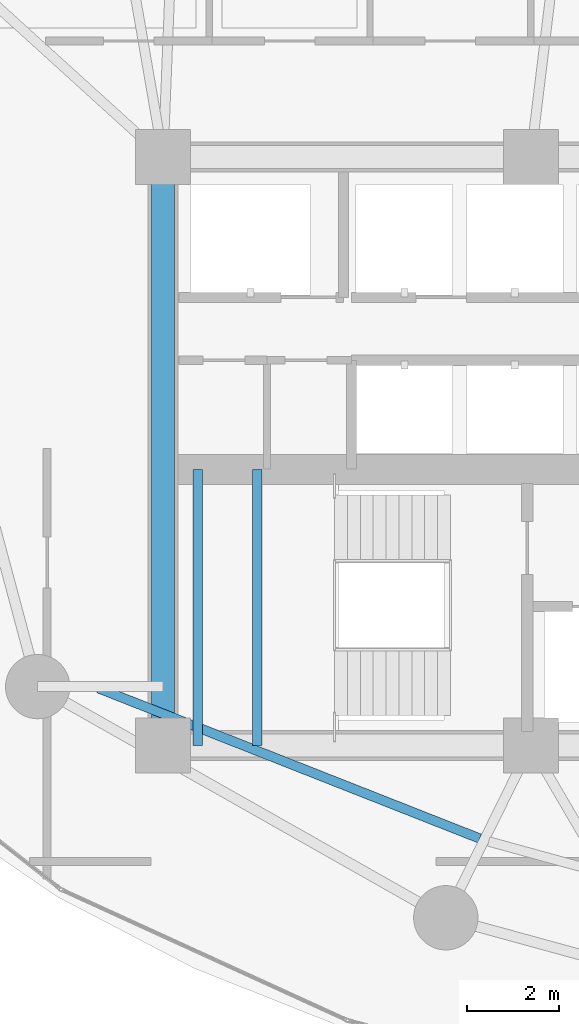
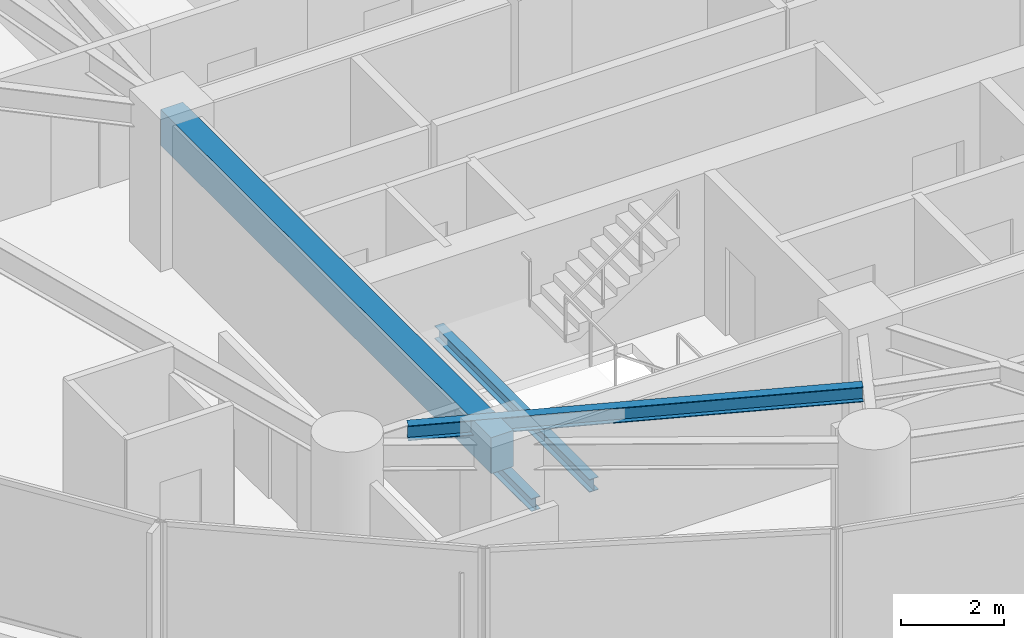
# One storey, part 4 of 31: 4 beams.
"""IFC4 building model written with IfcOpenShell, lengths in metres."""

from ifc_helpers import new_model, si_unit, direction, frame, origin, origin_2d, place, context, subcontext, project, spatial, rectangle, i_section, extrude, material, material_profile, profile_set, type_object, element, save


model = new_model("IFC4")

# Units and contexts
model_context = context("Model", 3, precision=1e-05, world=origin(), true_north=direction((0.0, 1.0)))
body_context = subcontext(model_context, "Body", "Model", "MODEL_VIEW")
ifc_project = project(units=[si_unit("LENGTHUNIT", "METRE"), si_unit("AREAUNIT", "SQUARE_METRE"), si_unit("VOLUMEUNIT", "CUBIC_METRE"), si_unit("PLANEANGLEUNIT", "RADIAN"), si_unit("MASSUNIT", "GRAM", prefix="KILO")], contexts=[model_context])

# Site, building, storey
site_placement = place(None, origin())
site = spatial("IfcSite", under=ifc_project, at=site_placement, CompositionType="ELEMENT")
building_placement = place(site_placement, origin())
building = spatial("IfcBuilding", under=site, at=building_placement, Name="Kazevale Care Tower and Concert Hall", CompositionType="ELEMENT")
storey_placement = place(building_placement, frame((0.0, 0.0, 56.39990234375)))
storey = spatial("IfcBuildingStorey", under=building, at=storey_placement, Name="L14", CompositionType="ELEMENT", Elevation=56.39990234375)

# Beams
ifc_material_1 = material(Name="Concrete C60", Category="concrete")
ifc_material_profile_1 = material_profile(ifc_material_1, rectangle(XDim=0.5, YDim=0.85009765625, at=origin_2d()), Name="RC-B500x850")
ifc_profile_set_1 = profile_set([ifc_material_profile_1], Name="Concrete C60")
beam_type_1 = type_object("IfcBeamType", Name="Core Coupling Beam RC500x850", PredefinedType="LINTEL", material=ifc_profile_set_1)
beam_1_placement = place(storey_placement, frame((22.0, 36.39990234375, 2.93505859375), z_axis=(0.0, -1.0, 0.0), x_axis=(1.0, 0.0, 0.0)))
element("IfcBeam", 1, at=beam_1_placement, inside=storey, type_object=beam_type_1, Name="beam:L14:coretie:8", PredefinedType="LINTEL", context=body_context, shape_type="SweptSolid", body=[
    extrude(rectangle(XDim=0.5, YDim=0.85009765625, at=origin_2d()), origin(), (0.0, 0.0, 1.0), 12.7998046875),
])
ifc_material_2 = material(Name="Steel ASTM A572 Gr 50", Category="steel")
ifc_material_profile_2 = material_profile(ifc_material_2, i_section(OverallWidth=0.205078125, OverallDepth=0.35400390625, WebThickness=0.009521484375, FlangeThickness=0.016845703125, at=origin_2d()), Name="W360x79")
ifc_profile_set_2 = profile_set([ifc_material_profile_2], Name="Steel ASTM A572 Gr 50")
beam_type_2 = type_object("IfcBeamType", Name="Secondary Floor Joist W360x79", PredefinedType="JOIST", material=ifc_profile_set_2)
beam_2_placement = place(storey_placement, frame((20.595947265625, 24.842041015625, 3.18310546875), z_axis=(0.930380638802, -0.366594963062, 0.0), x_axis=(0.366594963062, 0.930380638802, 0.0)))
element("IfcBeam", 2, at=beam_2_placement, inside=storey, type_object=beam_type_2, Name="beam:L14:joist:10", PredefinedType="JOIST", context=body_context, shape_type="SweptSolid", body=[
    extrude(i_section(OverallWidth=0.205078125, OverallDepth=0.35400390625, WebThickness=0.009521484375, FlangeThickness=0.016845703125, at=origin_2d()), origin(), (0.0, 0.0, 1.0), 8.909423828125),
])
ifc_material_profile_3 = material_profile(ifc_material_2, i_section(OverallWidth=0.202880859375, OverallDepth=0.302978515625, WebThickness=0.007568359375, FlangeThickness=0.01318359375, at=origin_2d()), Name="W310x60")
ifc_profile_set_3 = profile_set([ifc_material_profile_3], Name="Steel ASTM A572 Gr 50")
beam_type_3 = type_object("IfcBeamType", Name="Stair & Balcony Trimmer W310x60", PredefinedType="BEAM", material=ifc_profile_set_3)
for number, where, z_axis, x_axis, name in (
    (3, (22.75, 23.60009765625, 1.448486328125), (0.0, 1.0, 0.0), (-1.0, 0.0, 0.0), "beam:L14:sttrim:ST1"),
    (4, (24.050048828125, 23.60009765625, 1.448486328125), (0.0, 1.0, 0.0), (-1.0, 0.0, 0.0), "beam:L14:sttrim:ST1b"),
):
    element("IfcBeam", number, at=place(storey_placement, frame(where, z_axis=z_axis, x_axis=x_axis)), inside=storey, type_object=beam_type_3, Name=name, PredefinedType="BEAM", context=body_context, shape_type="SweptSolid", body=[
        extrude(i_section(OverallWidth=0.202880859375, OverallDepth=0.302978515625, WebThickness=0.007568359375, FlangeThickness=0.01318359375, at=origin_2d()), origin(), (0.0, 0.0, 1.0), 6.0),
    ])

save(model, "model.ifc")
